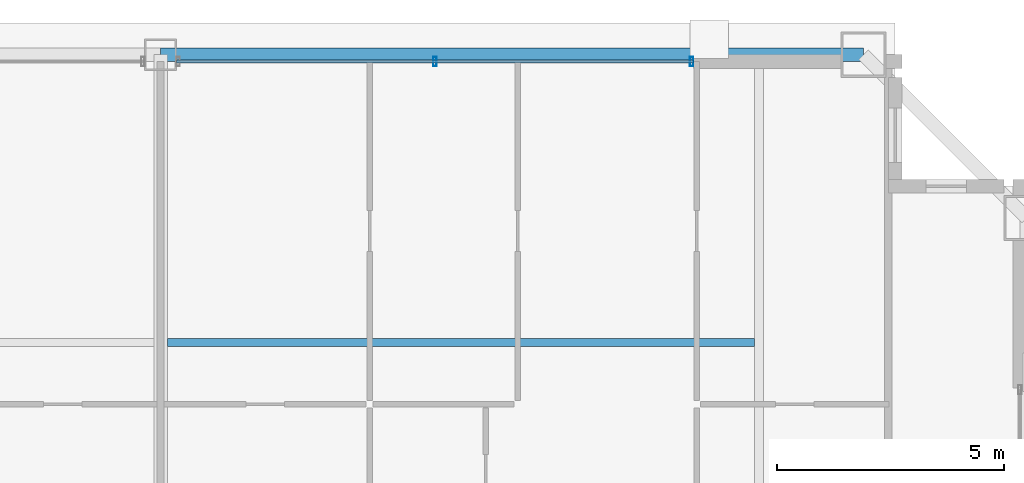
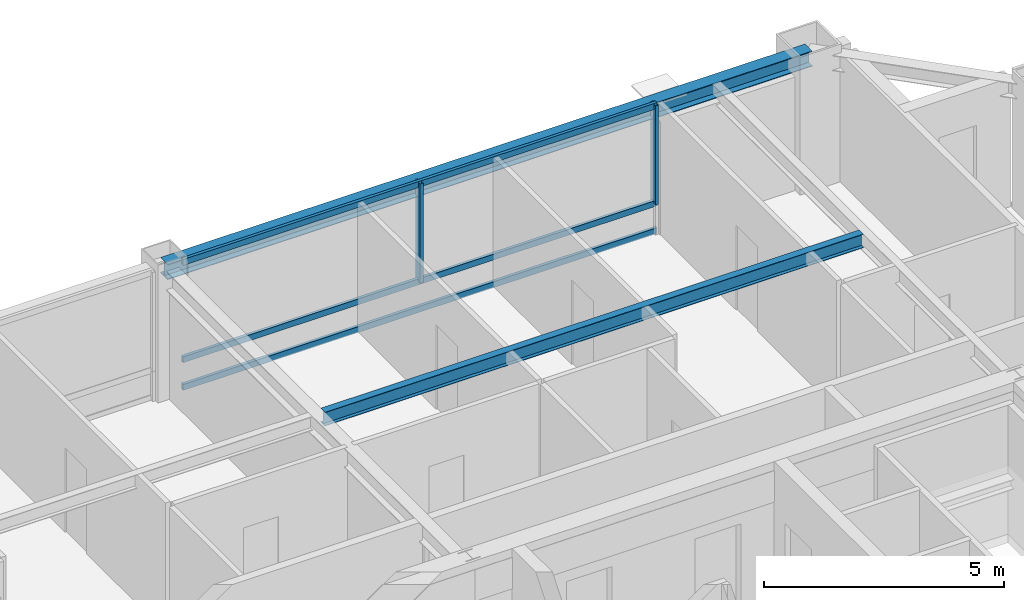
# One storey, part 19 of 35: 5 members, 2 beams, 1 element without a shape of its own.
"""IFC4 building model written with IfcOpenShell, lengths in metres."""

import ifcopenshell
import ifcopenshell.guid

model = None  # the IFC model being written
_history = None  # IfcOwnerHistory: only IFC2X3 demands one
_inside = {}  # id of a spatial element -> (the spatial element, [elements in it])
_under = {}  # id of a project, library or spatial element -> (it, [spatial elements below it])
_declared = {}  # id of a project -> (the project, [libraries it declares])
_typed = {}  # id of a type object -> (the type object, [elements of that type])
_made_of = {}  # id of a material, layer set ... -> (it, [elements and type objects made of it])


def new_model(schema):
    """Start an empty IFC model of exactly this schema.

    Asked for "IFC4X3", IfcOpenShell would pick the latest addendum, in which some entities
    have other attributes; the version numbers below select the first issue.
    IFC2X3 requires an IfcOwnerHistory on every rooted entity: one is made here for all.
    """
    global model, _history
    if schema == "IFC4X3":
        model = ifcopenshell.file(schema_version=(4, 3, 0, 0))
    else:
        model = ifcopenshell.file(schema=schema)
    _inside.clear()
    _under.clear()
    _declared.clear()
    _typed.clear()
    _made_of.clear()
    _history = None
    if model.schema == "IFC2X3":
        org = make("IfcOrganization", Name="unknown")
        user = make(
            "IfcPersonAndOrganization",
            ThePerson=make("IfcPerson", FamilyName="unknown"),
            TheOrganization=org,
        )
        app = make(
            "IfcApplication",
            ApplicationDeveloper=org,
            Version="unknown",
            ApplicationFullName="unknown",
            ApplicationIdentifier="unknown",
        )
        _history = make(
            "IfcOwnerHistory",
            OwningUser=user,
            OwningApplication=app,
            ChangeAction="ADDED",
            CreationDate=0,
        )
    return model


def make(cls, **values):
    """One entity of the class cls with the attributes given. An attribute that is None is left unset."""
    return model.create_entity(
        cls, **{name: value for name, value in values.items() if value is not None}
    )


def rooted(cls, **values):
    """An entity with a GlobalId (a new one), such as an element, a storey or a relation."""
    return make(cls, GlobalId=ifcopenshell.guid.new(), OwnerHistory=_history, **values)


def si_unit(unit_type, name, prefix=None):
    """IfcSIUnit, for example si_unit("LENGTHUNIT", "METRE", prefix="MILLI")."""
    return make("IfcSIUnit", UnitType=unit_type, Prefix=prefix, Name=name)


def assignment(units):
    """IfcUnitAssignment: the units of a project."""
    return None if units is None else make("IfcUnitAssignment", Units=units)


def point(xyz):
    """IfcCartesianPoint."""
    return None if xyz is None else make("IfcCartesianPoint", Coordinates=xyz)


def direction(xyz):
    """IfcDirection."""
    return None if xyz is None else make("IfcDirection", DirectionRatios=xyz)


def frame(location, z_axis=None, x_axis=None):
    """IfcAxis2Placement3D, a coordinate frame: its origin and axes. An axis left out is left unset."""
    return make(
        "IfcAxis2Placement3D",
        Location=point(location),
        Axis=direction(z_axis),
        RefDirection=direction(x_axis),
    )


def frame_2d(location, x_axis=None):
    """IfcAxis2Placement2D, a coordinate frame in the plane: its origin and x axis."""
    return make(
        "IfcAxis2Placement2D", Location=point(location), RefDirection=direction(x_axis)
    )


def origin():
    """The frame at (0, 0, 0) with its axes left unset."""
    return frame((0.0, 0.0, 0.0))


def origin_2d():
    """The frame at (0, 0) in the plane with its x axis left unset."""
    return frame_2d((0.0, 0.0))


def place(relative_to, where):
    """IfcLocalPlacement: puts the frame where relative to a parent placement (None: the world)."""
    return make(
        "IfcLocalPlacement", PlacementRelTo=relative_to, RelativePlacement=where
    )


def context(
    kind, dimensions, precision=None, world=None, true_north=None, identifier=None
):
    """IfcGeometricRepresentationContext, for example the 3D "Model" context."""
    return make(
        "IfcGeometricRepresentationContext",
        ContextIdentifier=identifier,
        ContextType=kind,
        CoordinateSpaceDimension=dimensions,
        Precision=precision,
        WorldCoordinateSystem=world,
        TrueNorth=true_north,
    )


def subcontext(parent, identifier, kind, view, scale=None):
    """IfcGeometricRepresentationSubContext, for example "Body" below "Model"."""
    return make(
        "IfcGeometricRepresentationSubContext",
        ContextIdentifier=identifier,
        ContextType=kind,
        ParentContext=parent,
        TargetScale=scale,
        TargetView=view,
    )


def project(units=None, contexts=None):
    """IfcProject with its units and contexts."""
    return rooted(
        "IfcProject",
        Name="project",
        RepresentationContexts=contexts,
        UnitsInContext=assignment(units),
    )


def spatial(cls, under=None, at=None, **own):
    """A site, building, storey or space (cls), placed at a placement, below another one or the project."""
    s = rooted(cls, ObjectPlacement=at, **own)
    if under is not None:
        _under.setdefault(under.id(), (under, []))[1].append(s)
    return s


def profile(cls, at=None, kind="AREA", **sizes):
    """A parametric profile (cls). Its sizes go by their IFC names, for example OverallWidth=200.0."""
    return make(cls, ProfileType=kind, Position=at, **sizes)


def hollow_rectangle(**sizes):
    """IfcRectangleHollowProfileDef."""
    return profile("IfcRectangleHollowProfileDef", **sizes)


def i_section(**sizes):
    """IfcIShapeProfileDef."""
    return profile("IfcIShapeProfileDef", **sizes)


def extrude(swept, where, along, depth):
    """IfcExtrudedAreaSolid: the profile swept, set in the frame where, extruded along a direction by depth."""
    return make(
        "IfcExtrudedAreaSolid",
        SweptArea=swept,
        Position=where,
        ExtrudedDirection=direction(along),
        Depth=depth,
    )


def shape(context_of_items, identifier, shape_type, items):
    """IfcShapeRepresentation: the items that make up one representation, for example the "Body"."""
    return make(
        "IfcShapeRepresentation",
        ContextOfItems=context_of_items,
        RepresentationIdentifier=identifier,
        RepresentationType=shape_type,
        Items=items,
    )


def source(mapping_origin, context_of_items, identifier, shape_type, items):
    """IfcRepresentationMap: a shape defined once, which mapped items show again and again."""
    return make(
        "IfcRepresentationMap",
        MappingOrigin=mapping_origin,
        MappedRepresentation=shape(context_of_items, identifier, shape_type, items),
    )


def transform(
    local_origin,
    x_axis=None,
    y_axis=None,
    z_axis=None,
    scale=None,
    scale2=None,
    scale3=None,
    uniform=True,
):
    """IfcCartesianTransformationOperator3D, or its non-uniform kind. x_axis, y_axis, z_axis: its Axis1, 2, 3."""
    if uniform:
        return make(
            "IfcCartesianTransformationOperator3D",
            Axis1=direction(x_axis),
            Axis2=direction(y_axis),
            LocalOrigin=point(local_origin),
            Scale=scale,
            Axis3=direction(z_axis),
        )
    return make(
        "IfcCartesianTransformationOperator3DnonUniform",
        Axis1=direction(x_axis),
        Axis2=direction(y_axis),
        LocalOrigin=point(local_origin),
        Scale=scale,
        Axis3=direction(z_axis),
        Scale2=scale2,
        Scale3=scale3,
    )


def mapped(mapping_source, mapping_target):
    """IfcMappedItem: shows the shape of a source again, moved by a transform."""
    return make(
        "IfcMappedItem", MappingSource=mapping_source, MappingTarget=mapping_target
    )


def material(Name=None, Category=None):
    """IfcMaterial."""
    return make("IfcMaterial", Name=Name, Category=Category)


def layer(
    of_material, thickness, ventilated=None, Name=None, Category=None, Priority=None
):
    """IfcMaterialLayer: one layer of a wall or slab, of a material (None: an air gap)."""
    return make(
        "IfcMaterialLayer",
        Material=of_material,
        LayerThickness=thickness,
        IsVentilated=ventilated,
        Name=Name,
        Category=Category,
        Priority=Priority,
    )


def layer_set(layers, Name=None):
    """IfcMaterialLayerSet."""
    return make("IfcMaterialLayerSet", MaterialLayers=layers, LayerSetName=Name)


def material_profile(
    of_material, cross_section, Name=None, Category=None, Priority=None
):
    """IfcMaterialProfile: a cross section and its material."""
    return make(
        "IfcMaterialProfile",
        Name=Name,
        Material=of_material,
        Profile=cross_section,
        Priority=Priority,
        Category=Category,
    )


def profile_set(profiles, Name=None, composite=None):
    """IfcMaterialProfileSet."""
    return make(
        "IfcMaterialProfileSet",
        Name=Name,
        MaterialProfiles=profiles,
        CompositeProfile=composite,
    )


def made_of(thing, what):
    """Note that an element or type object is made of a material, layer set ...; save() writes the relation."""
    if what is not None:
        _made_of.setdefault(what.id(), (what, []))[1].append(thing)
    return thing


def type_object(cls, material=None, **own):
    """A type object (cls), such as IfcWallType, which elements share."""
    return made_of(rooted(cls, **own), material)


def element(
    cls,
    number,
    at=None,
    inside=None,
    cuts=None,
    type_object=None,
    material=None,
    context=None,
    identifier="Body",
    shape_type=None,
    held_by="IfcProductDefinitionShape",
    body=None,
    shapes=None,
    **own,
):
    """One element of the class cls, such as IfcWall. Its Tag is "e" and its number.

    at: its placement. inside: the storey or other place that contains it. cuts: it is an
    opening in that element (IfcRelVoidsElement). A single representation is given by context,
    identifier, shape_type and body (its items); several are given by shapes. held_by: the class
    of the entity that holds the representations. save() writes the other relations.
    """
    e = rooted(cls, Tag="e%d" % number, ObjectPlacement=at, **own)
    if body is not None:
        shapes = [shape(context, identifier, shape_type, body)]
    if shapes is not None:
        e.Representation = make(held_by, Representations=shapes)
    if inside is not None:
        _inside.setdefault(inside.id(), (inside, []))[1].append(e)
    if cuts is not None:
        rooted(
            "IfcRelVoidsElement", RelatingBuildingElement=cuts, RelatedOpeningElement=e
        )
    if type_object is not None:
        _typed.setdefault(type_object.id(), (type_object, []))[1].append(e)
    return made_of(e, material)


def aggregate(whole, parts):
    """IfcRelAggregates: a whole, such as a stair, and the parts it consists of."""
    return rooted("IfcRelAggregates", RelatingObject=whole, RelatedObjects=parts)


def save(model, path):
    """Write the relations noted so far, then the file.

    IfcRelAggregates (storeys below a building ...), IfcRelContainedInSpatialStructure (elements
    in a storey), IfcRelDefinesByType, IfcRelAssociatesMaterial and IfcRelDeclares: one each for
    every whole, place, type object, material and project.
    """
    for whole, parts in _under.values():
        aggregate(whole, parts)
    for where, things in _inside.values():
        rooted(
            "IfcRelContainedInSpatialStructure",
            RelatedElements=things,
            RelatingStructure=where,
        )
    for kind, things in _typed.values():
        rooted("IfcRelDefinesByType", RelatedObjects=things, RelatingType=kind)
    for what, things in _made_of.values():
        rooted("IfcRelAssociatesMaterial", RelatedObjects=things, RelatingMaterial=what)
    for by, libraries in _declared.values():
        rooted("IfcRelDeclares", RelatingContext=by, RelatedDefinitions=libraries)
    model.write(path)


model = new_model("IFC4")

# Units and contexts
model_context = context("Model", 3, precision=1e-05, world=origin(), true_north=direction((0.0, 1.0)))
body_context = subcontext(model_context, "Body", "Model", "MODEL_VIEW")
ifc_project = project(units=[si_unit("LENGTHUNIT", "METRE"), si_unit("AREAUNIT", "SQUARE_METRE"), si_unit("VOLUMEUNIT", "CUBIC_METRE"), si_unit("PLANEANGLEUNIT", "RADIAN"), si_unit("MASSUNIT", "GRAM", prefix="KILO"), si_unit("THERMODYNAMICTEMPERATUREUNIT", "KELVIN"), si_unit("POWERUNIT", "WATT")], contexts=[model_context])

# Site, building, storey
site_placement = place(None, origin())
site = spatial("IfcSite", under=ifc_project, at=site_placement, CompositionType="ELEMENT")
building_placement = place(site_placement, origin())
building = spatial("IfcBuilding", under=site, at=building_placement, Name="Yuzanri Waterfront Tower", CompositionType="ELEMENT")
storey_placement = place(building_placement, frame((0.0, 0.0, 296.10009765625)))
storey = spatial("IfcBuildingStorey", under=building, at=storey_placement, Name="L79", CompositionType="ELEMENT", Elevation=296.10009765625)

# Beams
ifc_material_1 = material(Name="Steel Q355B", Category="steel")
ifc_material_profile_1 = material_profile(ifc_material_1, i_section(OverallWidth=0.175048828125, OverallDepth=0.35009765625, WebThickness=0.007080078125, FlangeThickness=0.010986328125, at=origin_2d()), Name="HN 350x175x7x11")
ifc_profile_set_1 = profile_set([ifc_material_profile_1], Name="Steel Q355B")
beam_type_1 = type_object("IfcBeamType", Name="Floor Joist Q355B HN 350x175", PredefinedType="JOIST", material=ifc_profile_set_1)
shared_shape_1 = source(origin(), body_context, "Body", "SweptSolid", [
    extrude(i_section(OverallWidth=0.175048828125, OverallDepth=0.35009765625, WebThickness=0.007080078125, FlangeThickness=0.010986328125, at=origin_2d()), origin(), (0.0, 0.0, 1.0), 12.9501953125),
])
beam_1_placement = place(storey_placement, frame((37.14990234375, 38.550048828125, 3.10498046875), z_axis=(1.0, 0.0, 0.0), x_axis=(0.0, 1.0, 0.0)))
element("IfcBeam", 1, at=beam_1_placement, inside=storey, type_object=beam_type_1, Name="L79 North Bay Joist E", PredefinedType="JOIST", context=body_context, shape_type="MappedRepresentation", body=[
    mapped(shared_shape_1, transform((0.0, 0.0, 0.0), scale=1.0)),
])
ifc_material_2 = material(Name="Steel Q355B", Category="steel")
ifc_material_profile_2 = material_profile(ifc_material_2, i_section(OverallWidth=0.300048828125, OverallDepth=0.389892578125, WebThickness=0.010009765625, FlangeThickness=0.01611328125, at=origin_2d()), Name="HM 390x300x10x16")
ifc_profile_set_2 = profile_set([ifc_material_profile_2], Name="Steel Q355B")
beam_type_2 = type_object("IfcBeamType", Name="Perimeter Spandrel Q355B HM 390x300", PredefinedType="SPANDREL", material=ifc_profile_set_2)
shared_shape_2 = source(origin(), body_context, "Body", "SweptSolid", [
    extrude(i_section(OverallWidth=0.300048828125, OverallDepth=0.389892578125, WebThickness=0.010009765625, FlangeThickness=0.01611328125, at=origin_2d()), origin(), (0.0, 0.0, 1.0), 15.5),
])
beam_2_placement = place(storey_placement, frame((52.5, 44.89990234375, 3.0849609375), z_axis=(-1.0, 0.0, 0.0), x_axis=(0.0, -1.0, 0.0)))
element("IfcBeam", 2, at=beam_2_placement, inside=storey, type_object=beam_type_2, Name="L79 Perimeter Spandrel N3-N2", PredefinedType="SPANDREL", context=body_context, shape_type="MappedRepresentation", body=[
    mapped(shared_shape_2, transform((0.0, 0.0, 0.0), scale=1.0)),
])

# Curtain wall, members
ifc_material_3 = material(Name="Anodized Architectural Bronze", Category="metal")
ifc_layer = layer(ifc_material_3, 0.159912109375)
ifc_layer_set = layer_set([ifc_layer], Name="Anodized Architectural Bronze")
curtain_wall_type = type_object("IfcCurtainWallType", Name="Anodized Bronze High-Rise Penthouse High-Wind Unitized Curtain Wall 6900", PredefinedType="NOTDEFINED", material=ifc_layer_set)
curtain_wall_placement = place(storey_placement, origin())
curtain_wall = element("IfcCurtainWall", 3, at=curtain_wall_placement, inside=storey, type_object=curtain_wall_type, Name="L79 Curtain Wall CW-L79-NR", PredefinedType="NOTDEFINED")
ifc_material_4 = material(Name="Anodized Architectural Bronze", Category="metal")
ifc_material_profile_3 = material_profile(ifc_material_4, hollow_rectangle(XDim=0.074951171875, YDim=0.199951171875, WallThickness=0.00390625, at=origin_2d()), Name="CWM 75x200")
ifc_profile_set_3 = profile_set([ifc_material_profile_3], Name="Anodized Architectural Bronze")
member_type_1 = type_object("IfcMemberType", Name="Anodized Bronze Primary Curtain-Wall Mullion 75x200", PredefinedType="MULLION", material=ifc_profile_set_3)
shared_shape_3 = source(origin(), body_context, "Body", "SweptSolid", [
    extrude(hollow_rectangle(XDim=0.074951171875, YDim=0.199951171875, WallThickness=0.00390625, at=origin_2d()), origin(), (0.0, 0.0, 1.0), 2.52392578125),
])
member_1_placement = place(storey_placement, frame((43.050048828125, 44.75, 0.755859375), z_axis=(0.0, 0.0, 1.0), x_axis=(1.0, 0.0, 0.0)))
member_1 = element("IfcMember", 4, at=member_1_placement, type_object=member_type_1, Name="CW-L79-NR Upper Mullion 01", PredefinedType="MULLION", context=body_context, shape_type="MappedRepresentation", body=[
    mapped(shared_shape_3, transform((0.0, 0.0, 0.0), scale=1.0)),
])
member_2_placement = place(storey_placement, frame((48.7099609375, 44.75, 0.755859375), z_axis=(0.0, 0.0, 1.0), x_axis=(1.0, 0.0, 0.0)))
member_2 = element("IfcMember", 5, at=member_2_placement, type_object=member_type_1, Name="CW-L79-NR Upper Mullion 02", PredefinedType="MULLION", context=body_context, shape_type="MappedRepresentation", body=[
    mapped(shared_shape_3, transform((0.0, 0.0, 0.0), scale=1.0)),
])
ifc_material_5 = material(Name="Anodized Architectural Bronze", Category="metal")
ifc_material_profile_4 = material_profile(ifc_material_5, hollow_rectangle(XDim=0.074951171875, YDim=0.14990234375, WallThickness=0.00390625, at=origin_2d()), Name="CWT 75x150")
ifc_profile_set_4 = profile_set([ifc_material_profile_4], Name="Anodized Architectural Bronze")
member_type_2 = type_object("IfcMemberType", Name="Anodized Bronze Primary Curtain-Wall Transom 75x150", PredefinedType="USERDEFINED", material=ifc_profile_set_4)
shared_shape_4 = source(origin(), body_context, "Body", "SweptSolid", [
    extrude(hollow_rectangle(XDim=0.074951171875, YDim=0.14990234375, WallThickness=0.00390625, at=origin_2d()), origin(), (0.0, 0.0, 1.0), 11.39990234375),
])
member_3_placement = place(storey_placement, frame((37.35009765625, 44.75, 0.0498046875), z_axis=(1.0, 0.0, 0.0), x_axis=(0.0, 1.0, 0.0)))
member_3 = element("IfcMember", 6, at=member_3_placement, type_object=member_type_2, Name="CW-L79-NR Transom 1", ObjectType="TRANSOM", PredefinedType="USERDEFINED", context=body_context, shape_type="MappedRepresentation", body=[
    mapped(shared_shape_4, transform((0.0, 0.0, 0.0), scale=1.0)),
])
member_4_placement = place(storey_placement, frame((37.35009765625, 44.75, 0.75390625), z_axis=(1.0, 0.0, 0.0), x_axis=(0.0, 1.0, 0.0)))
member_4 = element("IfcMember", 7, at=member_4_placement, type_object=member_type_2, Name="CW-L79-NR Transom 2", ObjectType="TRANSOM", PredefinedType="USERDEFINED", context=body_context, shape_type="MappedRepresentation", body=[
    mapped(shared_shape_4, transform((0.0, 0.0, 0.0), scale=1.0)),
])
member_5_placement = place(storey_placement, frame((37.35009765625, 44.75, 3.22998046875), z_axis=(1.0, 0.0, 0.0), x_axis=(0.0, 1.0, 0.0)))
member_5 = element("IfcMember", 8, at=member_5_placement, type_object=member_type_2, Name="CW-L79-NR Transom 3", ObjectType="TRANSOM", PredefinedType="USERDEFINED", context=body_context, shape_type="MappedRepresentation", body=[
    mapped(shared_shape_4, transform((0.0, 0.0, 0.0), scale=1.0)),
])
aggregate(curtain_wall, [member_1, member_2, member_3, member_4, member_5])

save(model, "model.ifc")
